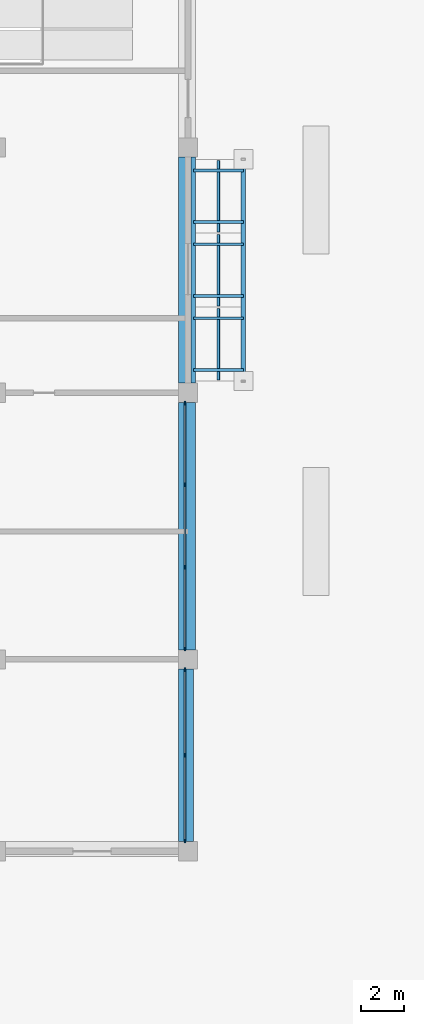
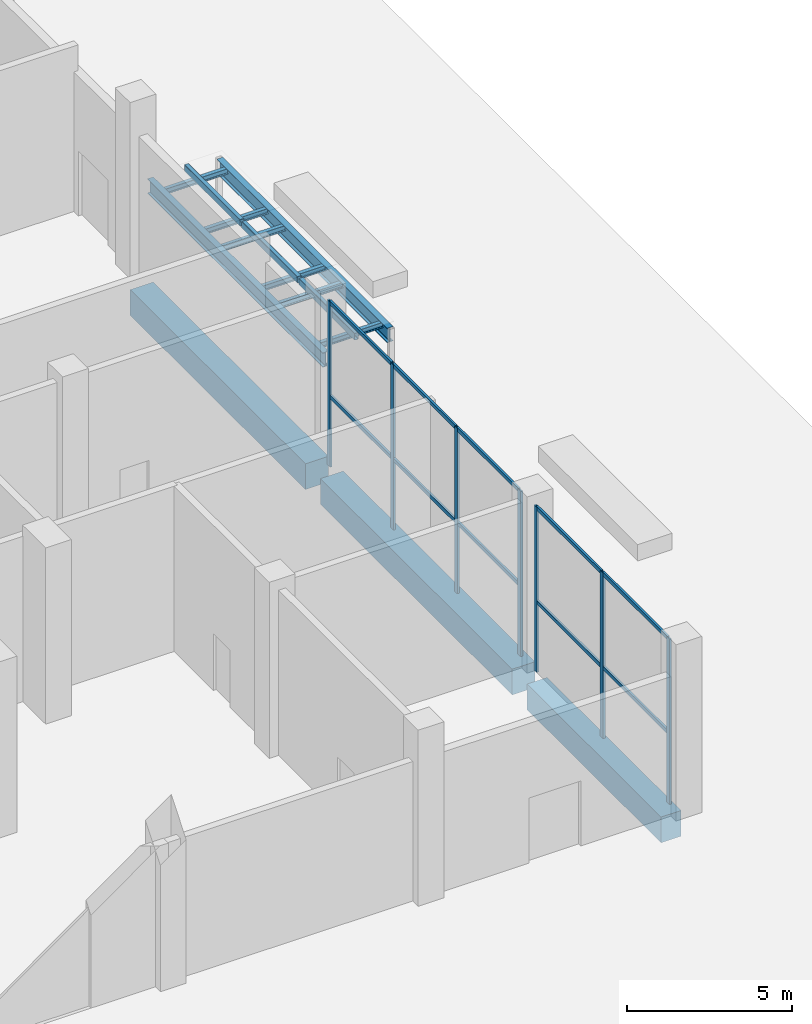
# One storey, part 22 of 39: 20 members, 11 beams, 2 elements without a shape of their own.
"""IFC4 building model written with IfcOpenShell, lengths in metres."""

from ifc_helpers import new_model, si_unit, direction, frame, origin, origin_2d, place, context, subcontext, project, spatial, rectangle, hollow_rectangle, i_section, extrude, material, layer, layer_set, material_profile, profile_set, type_object, element, aggregate, save


model = new_model("IFC4")

# Units and contexts
model_context = context("Model", 3, precision=1e-05, world=origin(), true_north=direction((0.0, 1.0)))
body_context = subcontext(model_context, "Body", "Model", "MODEL_VIEW")
ifc_project = project(units=[si_unit("LENGTHUNIT", "METRE"), si_unit("AREAUNIT", "SQUARE_METRE"), si_unit("VOLUMEUNIT", "CUBIC_METRE"), si_unit("PLANEANGLEUNIT", "RADIAN"), si_unit("MASSUNIT", "GRAM", prefix="KILO")], contexts=[model_context])

# Site, building, storey
site_placement = place(None, origin())
site = spatial("IfcSite", under=ifc_project, at=site_placement, CompositionType="ELEMENT")
building_placement = place(site_placement, origin())
building = spatial("IfcBuilding", under=site, at=building_placement, Name="Brigalow Station Residences", CompositionType="ELEMENT")
storey_placement = place(building_placement, origin())
storey = spatial("IfcBuildingStorey", under=building, at=storey_placement, Name="L00", CompositionType="ELEMENT", Elevation=0.0)

# Beams
ifc_material_1 = material(Name="Steel Grade 300 to AS/NZS 3679.1", Category="steel")
ifc_material_profile_1 = material_profile(ifc_material_1, i_section(OverallWidth=0.133056640625, OverallDepth=0.203125, WebThickness=0.005859375, FlangeThickness=0.0078125, FilletRadius=0.0087890625, at=origin_2d()), Name="200UB25.4")
ifc_profile_set_1 = profile_set([ifc_material_profile_1], Name="Steel Grade 300 to AS/NZS 3679.1")
beam_type_1 = type_object("IfcBeamType", Name="CANOPY ARM 200UB25.4", PredefinedType="BEAM", material=ifc_profile_set_1)
for number, where, z_axis, x_axis, name in (
    (1, (90.259521484375, 13.570068359375, 3.326416015625), (1.0, 0.0, 0.0), (0.0, 1.0, 0.0), "L00/canopy-arm/E-exit-1-1"),
    (2, (90.259521484375, 15.99658203125, 3.326416015625), (1.0, 0.0, 0.0), (0.0, 1.0, 0.0), "L00/canopy-arm/E-exit-1-2"),
    (3, (90.259521484375, 17.03662109375, 3.326416015625), (1.0, 0.0, 0.0), (0.0, 1.0, 0.0), "L00/canopy-arm/E-exit-2-1"),
    (4, (90.259521484375, 19.46337890625, 3.326416015625), (1.0, 0.0, 0.0), (0.0, 1.0, 0.0), "L00/canopy-arm/E-exit-2-2"),
    (5, (90.259521484375, 20.50341796875, 3.326416015625), (1.0, 0.0, 0.0), (0.0, 1.0, 0.0), "L00/canopy-arm/E-exit-3-1"),
    (6, (90.259521484375, 22.929931640625, 3.326416015625), (1.0, 0.0, 0.0), (0.0, 1.0, 0.0), "L00/canopy-arm/E-exit-3-2"),
):
    element("IfcBeam", number, at=place(storey_placement, frame(where, z_axis=z_axis, x_axis=x_axis)), inside=storey, type_object=beam_type_1, Name=name, PredefinedType="BEAM", context=body_context, shape_type="SweptSolid", body=[
        extrude(i_section(OverallWidth=0.133056640625, OverallDepth=0.203125, WebThickness=0.005859375, FlangeThickness=0.0078125, FilletRadius=0.0087890625, at=origin_2d()), origin(), (0.0, 0.0, 1.0), 2.330810546875),
    ])
ifc_material_2 = material(Name="Steel Grade 300 to AS/NZS 3679.1", Category="steel")
ifc_material_profile_2 = material_profile(ifc_material_2, i_section(OverallWidth=0.208984375, OverallDepth=0.532958984375, WebThickness=0.01025390625, FlangeThickness=0.015625, FilletRadius=0.013916015625, at=origin_2d()), Name="530UB92.4")
ifc_profile_set_2 = profile_set([ifc_material_profile_2], Name="Steel Grade 300 to AS/NZS 3679.1")
beam_type_2 = type_object("IfcBeamType", Name="CANOPY EDGE BEAM OVER 10 M SPAN 530UB92.4", PredefinedType="BEAM", material=ifc_profile_set_2)
beam_1_placement = place(storey_placement, frame((90.25439453125, 12.949951171875, 3.21142578125), z_axis=(0.0, 1.0, 0.0), x_axis=(-1.0, 0.0, 0.0)))
element("IfcBeam", 7, at=beam_1_placement, inside=storey, type_object=beam_type_2, Name="L00/canopy-beam/E-exit", PredefinedType="BEAM", context=body_context, shape_type="SweptSolid", body=[
    extrude(i_section(OverallWidth=0.208984375, OverallDepth=0.532958984375, WebThickness=0.01025390625, FlangeThickness=0.015625, FilletRadius=0.013916015625, at=origin_2d()), origin(), (0.0, 0.0, 1.0), 10.60009765625),
])
beam_2_placement = place(storey_placement, frame((92.595458984375, 13.10009765625, 3.21142578125), z_axis=(0.0, 1.0, 0.0), x_axis=(-1.0, 0.0, 0.0)))
element("IfcBeam", 8, at=beam_2_placement, inside=storey, type_object=beam_type_2, Name="L00/canopy-tip/E-exit", PredefinedType="BEAM", context=body_context, shape_type="SweptSolid", body=[
    extrude(i_section(OverallWidth=0.208984375, OverallDepth=0.532958984375, WebThickness=0.01025390625, FlangeThickness=0.015625, FilletRadius=0.013916015625, at=origin_2d()), origin(), (0.0, 0.0, 1.0), 10.2998046875),
])

# Members
ifc_material_3 = material(Name="Steel Grade C450L0 to AS/NZS 1163", Category="steel")
ifc_material_profile_3 = material_profile(ifc_material_3, hollow_rectangle(XDim=0.14990234375, YDim=0.25, WallThickness=0.009033203125, InnerFilletRadius=0.013427734375, OuterFilletRadius=0.0224609375, at=origin_2d()), Name="250x150x9.0RHS")
ifc_profile_set_3 = profile_set([ifc_material_profile_3], Name="Steel Grade C450L0 to AS/NZS 1163")
member_type_1 = type_object("IfcMemberType", Name="CANOPY GLAZING RAIL 250x150x9.0RHS", PredefinedType="MEMBER", material=ifc_profile_set_3)
for number, where, z_axis, x_axis, name in (
    (9, (91.425048828125, 13.110107421875, 3.552978515625), (0.0, 1.0, 0.0), (-1.0, 0.0, 0.0), "L00/canopy-rail/E-exit-1"),
    (10, (91.425048828125, 16.57666015625, 3.552978515625), (0.0, 1.0, 0.0), (-1.0, 0.0, 0.0), "L00/canopy-rail/E-exit-2"),
    (11, (91.425048828125, 20.043212890625, 3.552978515625), (0.0, 1.0, 0.0), (-1.0, 0.0, 0.0), "L00/canopy-rail/E-exit-3"),
):
    element("IfcMember", number, at=place(storey_placement, frame(where, z_axis=z_axis, x_axis=x_axis)), inside=storey, type_object=member_type_1, Name=name, PredefinedType="MEMBER", context=body_context, shape_type="SweptSolid", body=[
        extrude(hollow_rectangle(XDim=0.14990234375, YDim=0.25, WallThickness=0.009033203125, InnerFilletRadius=0.013427734375, OuterFilletRadius=0.0224609375, at=origin_2d()), origin(), (0.0, 0.0, 1.0), 3.3466796875),
    ])

# Beams
ifc_material_4 = material(Name="Concrete C65", Category="concrete")
ifc_material_profile_4 = material_profile(ifc_material_4, rectangle(XDim=0.699951171875, YDim=0.949951171875, at=origin_2d()), Name="RC700x950")
ifc_profile_set_4 = profile_set([ifc_material_profile_4], Name="Concrete C65")
beam_type_3 = type_object("IfcBeamType", Name="EDGE GIRDER 4.5 TO 9.9 M SPAN 700x950 C65", PredefinedType="BEAM", material=ifc_profile_set_4)
beam_3_placement = place(storey_placement, frame((89.89990234375, -8.550048828125, -0.876953125), z_axis=(0.0, 1.0, 0.0), x_axis=(-1.0, 0.0, 0.0)))
element("IfcBeam", 12, at=beam_3_placement, inside=storey, type_object=beam_type_3, Name="PODIUM EDGE GIRDER E13 L00", PredefinedType="BEAM", context=body_context, shape_type="SweptSolid", body=[
    extrude(rectangle(XDim=0.699951171875, YDim=0.949951171875, at=origin_2d()), origin(), (0.0, 0.0, 1.0), 8.10009765625),
])
ifc_material_5 = material(Name="Concrete C65", Category="concrete")
ifc_material_profile_5 = material_profile(ifc_material_5, rectangle(XDim=0.800048828125, YDim=0.949951171875, at=origin_2d()), Name="RC800x950")
ifc_profile_set_5 = profile_set([ifc_material_profile_5], Name="Concrete C65")
beam_type_4 = type_object("IfcBeamType", Name="EDGE GIRDER OVER 9.9 M SPAN 800x950 C65", PredefinedType="BEAM", material=ifc_profile_set_5)
beam_4_placement = place(storey_placement, frame((89.949951171875, 0.449951171875, -0.876953125), z_axis=(0.0, 1.0, 0.0), x_axis=(-1.0, 0.0, 0.0)))
element("IfcBeam", 13, at=beam_4_placement, inside=storey, type_object=beam_type_4, Name="PODIUM EDGE GIRDER E14 L00", PredefinedType="BEAM", context=body_context, shape_type="SweptSolid", body=[
    extrude(rectangle(XDim=0.800048828125, YDim=0.949951171875, at=origin_2d()), origin(), (0.0, 0.0, 1.0), 11.60009765625),
])
beam_5_placement = place(storey_placement, frame((89.949951171875, 12.949951171875, -0.876953125), z_axis=(0.0, 1.0, 0.0), x_axis=(-1.0, 0.0, 0.0)))
element("IfcBeam", 14, at=beam_5_placement, inside=storey, type_object=beam_type_4, Name="PODIUM EDGE GIRDER E15 L00", PredefinedType="BEAM", context=body_context, shape_type="SweptSolid", body=[
    extrude(rectangle(XDim=0.800048828125, YDim=0.949951171875, at=origin_2d()), origin(), (0.0, 0.0, 1.0), 10.60009765625),
])

# Curtain wall, members
ifc_material_6 = material(Name="Aluminium", Category="aluminium")
ifc_layer = layer(ifc_material_6, 0.179931640625)
ifc_layer_set = layer_set([ifc_layer], Name="STATION CONCOURSE SHOPFRONT GLAZING CURTAIN WALL")
curtain_wall_type = type_object("IfcCurtainWallType", Name="STATION CONCOURSE SHOPFRONT GLAZING CURTAIN WALL", PredefinedType="NOTDEFINED", material=ifc_layer_set)
curtain_wall_1_placement = place(storey_placement, origin())
curtain_wall_1 = element("IfcCurtainWall", 15, at=curtain_wall_1_placement, inside=storey, type_object=curtain_wall_type, Name="L00/cw/podium-W-L00-13-1", PredefinedType="NOTDEFINED")
ifc_material_7 = material(Name="Aluminium", Category="aluminium")
ifc_material_profile_6 = material_profile(ifc_material_7, rectangle(XDim=0.074951171875, YDim=0.179931640625, at=origin_2d()), Name="STATION CONCOURSE SHOPFRONT GLAZING MULLION 75x180")
ifc_profile_set_6 = profile_set([ifc_material_profile_6], Name="Aluminium")
member_type_2 = type_object("IfcMemberType", Name="STATION CONCOURSE SHOPFRONT GLAZING MULLION 75x180", PredefinedType="MULLION", material=ifc_profile_set_6)
member_1_placement = place(storey_placement, frame((89.85009765625, -8.512451171875, 0.0), z_axis=(0.0, 0.0, 1.0), x_axis=(-1.0, 0.0, 0.0)))
member_1 = element("IfcMember", 16, at=member_1_placement, type_object=member_type_2, Name="L00/cw/podium-W-L00-13-1/M00", PredefinedType="MULLION", context=body_context, shape_type="SweptSolid", body=[
    extrude(rectangle(XDim=0.074951171875, YDim=0.179931640625, at=origin_2d()), origin(), (0.0, 0.0, 1.0), 6.097900390625),
])
member_2_placement = place(storey_placement, frame((89.85009765625, -4.5, 0.0), z_axis=(0.0, 0.0, 1.0), x_axis=(-1.0, 0.0, 0.0)))
member_2 = element("IfcMember", 17, at=member_2_placement, type_object=member_type_2, Name="L00/cw/podium-W-L00-13-1/M01", PredefinedType="MULLION", context=body_context, shape_type="SweptSolid", body=[
    extrude(rectangle(XDim=0.074951171875, YDim=0.179931640625, at=origin_2d()), origin(), (0.0, 0.0, 1.0), 6.097900390625),
])
member_3_placement = place(storey_placement, frame((89.85009765625, -0.487548828125, 0.0), z_axis=(0.0, 0.0, 1.0), x_axis=(-1.0, 0.0, 0.0)))
member_3 = element("IfcMember", 18, at=member_3_placement, type_object=member_type_2, Name="L00/cw/podium-W-L00-13-1/M02", PredefinedType="MULLION", context=body_context, shape_type="SweptSolid", body=[
    extrude(rectangle(XDim=0.074951171875, YDim=0.179931640625, at=origin_2d()), origin(), (0.0, 0.0, 1.0), 6.097900390625),
])

curtain_wall_2_placement = place(storey_placement, origin())
curtain_wall_2 = element("IfcCurtainWall", 19, at=curtain_wall_2_placement, inside=storey, type_object=curtain_wall_type, Name="L00/cw/podium-W-L00-13-2", PredefinedType="NOTDEFINED")
member_4_placement = place(storey_placement, frame((89.85009765625, 0.487548828125, 0.0), z_axis=(0.0, 0.0, 1.0), x_axis=(-1.0, 0.0, 0.0)))
member_4 = element("IfcMember", 20, at=member_4_placement, type_object=member_type_2, Name="L00/cw/podium-W-L00-13-2/M00", PredefinedType="MULLION", context=body_context, shape_type="SweptSolid", body=[
    extrude(rectangle(XDim=0.074951171875, YDim=0.179931640625, at=origin_2d()), origin(), (0.0, 0.0, 1.0), 6.097900390625),
])
member_5_placement = place(storey_placement, frame((89.85009765625, 4.316650390625, 0.0), z_axis=(0.0, 0.0, 1.0), x_axis=(-1.0, 0.0, 0.0)))
member_5 = element("IfcMember", 21, at=member_5_placement, type_object=member_type_2, Name="L00/cw/podium-W-L00-13-2/M01", PredefinedType="MULLION", context=body_context, shape_type="SweptSolid", body=[
    extrude(rectangle(XDim=0.074951171875, YDim=0.179931640625, at=origin_2d()), origin(), (0.0, 0.0, 1.0), 6.097900390625),
])
member_6_placement = place(storey_placement, frame((89.85009765625, 8.183349609375, 0.0), z_axis=(0.0, 0.0, 1.0), x_axis=(-1.0, 0.0, 0.0)))
member_6 = element("IfcMember", 22, at=member_6_placement, type_object=member_type_2, Name="L00/cw/podium-W-L00-13-2/M02", PredefinedType="MULLION", context=body_context, shape_type="SweptSolid", body=[
    extrude(rectangle(XDim=0.074951171875, YDim=0.179931640625, at=origin_2d()), origin(), (0.0, 0.0, 1.0), 6.097900390625),
])
member_7_placement = place(storey_placement, frame((89.85009765625, 12.012451171875, 0.0), z_axis=(0.0, 0.0, 1.0), x_axis=(-1.0, 0.0, 0.0)))
member_7 = element("IfcMember", 23, at=member_7_placement, type_object=member_type_2, Name="L00/cw/podium-W-L00-13-2/M03", PredefinedType="MULLION", context=body_context, shape_type="SweptSolid", body=[
    extrude(rectangle(XDim=0.074951171875, YDim=0.179931640625, at=origin_2d()), origin(), (0.0, 0.0, 1.0), 6.097900390625),
])

# Member
ifc_material_8 = material(Name="Aluminium", Category="aluminium")
ifc_material_profile_7 = material_profile(ifc_material_8, rectangle(XDim=0.074951171875, YDim=0.139892578125, at=origin_2d()), Name="STATION CONCOURSE SHOPFRONT GLAZING TRANSOM 75x140")
ifc_profile_set_7 = profile_set([ifc_material_profile_7], Name="Aluminium")
member_type_3 = type_object("IfcMemberType", Name="STATION CONCOURSE SHOPFRONT GLAZING TRANSOM 75x140", PredefinedType="USERDEFINED", material=ifc_profile_set_7)
member_8_placement = place(storey_placement, frame((89.85009765625, -8.47509765625, 2.60009765625), z_axis=(0.0, 1.0, 0.0), x_axis=(-1.0, 0.0, 0.0)))
member_8 = element("IfcMember", 24, at=member_8_placement, type_object=member_type_3, Name="L00/cw/podium-W-L00-13-1/T00-00", ObjectType="TRANSOM", PredefinedType="USERDEFINED", context=body_context, shape_type="SweptSolid", body=[
    extrude(rectangle(XDim=0.074951171875, YDim=0.139892578125, at=origin_2d()), origin(), (0.0, 0.0, 1.0), 3.9375),
])

member_9_placement = place(storey_placement, frame((89.85009765625, -8.47509765625, 6.060546875), z_axis=(0.0, 1.0, 0.0), x_axis=(-1.0, 0.0, 0.0)))
member_9 = element("IfcMember", 25, at=member_9_placement, type_object=member_type_3, Name="L00/cw/podium-W-L00-13-1/T00-01", ObjectType="TRANSOM", PredefinedType="USERDEFINED", context=body_context, shape_type="SweptSolid", body=[
    extrude(rectangle(XDim=0.074951171875, YDim=0.139892578125, at=origin_2d()), origin(), (0.0, 0.0, 1.0), 3.9375),
])

member_10_placement = place(storey_placement, frame((89.85009765625, -4.46240234375, 2.60009765625), z_axis=(0.0, 1.0, 0.0), x_axis=(-1.0, 0.0, 0.0)))
member_10 = element("IfcMember", 26, at=member_10_placement, type_object=member_type_3, Name="L00/cw/podium-W-L00-13-1/T01-00", ObjectType="TRANSOM", PredefinedType="USERDEFINED", context=body_context, shape_type="SweptSolid", body=[
    extrude(rectangle(XDim=0.074951171875, YDim=0.139892578125, at=origin_2d()), origin(), (0.0, 0.0, 1.0), 3.9375),
])

member_11_placement = place(storey_placement, frame((89.85009765625, -4.46240234375, 6.060546875), z_axis=(0.0, 1.0, 0.0), x_axis=(-1.0, 0.0, 0.0)))
member_11 = element("IfcMember", 27, at=member_11_placement, type_object=member_type_3, Name="L00/cw/podium-W-L00-13-1/T01-01", ObjectType="TRANSOM", PredefinedType="USERDEFINED", context=body_context, shape_type="SweptSolid", body=[
    extrude(rectangle(XDim=0.074951171875, YDim=0.139892578125, at=origin_2d()), origin(), (0.0, 0.0, 1.0), 3.9375),
])

aggregate(curtain_wall_1, [member_1, member_2, member_3, member_8, member_9, member_10, member_11])

member_12_placement = place(storey_placement, frame((89.85009765625, 0.52490234375, 2.60009765625), z_axis=(0.0, 1.0, 0.0), x_axis=(-1.0, 0.0, 0.0)))
member_12 = element("IfcMember", 28, at=member_12_placement, type_object=member_type_3, Name="L00/cw/podium-W-L00-13-2/T00-00", ObjectType="TRANSOM", PredefinedType="USERDEFINED", context=body_context, shape_type="SweptSolid", body=[
    extrude(rectangle(XDim=0.074951171875, YDim=0.139892578125, at=origin_2d()), origin(), (0.0, 0.0, 1.0), 3.75439453125),
])

member_13_placement = place(storey_placement, frame((89.85009765625, 0.52490234375, 6.060546875), z_axis=(0.0, 1.0, 0.0), x_axis=(-1.0, 0.0, 0.0)))
member_13 = element("IfcMember", 29, at=member_13_placement, type_object=member_type_3, Name="L00/cw/podium-W-L00-13-2/T00-01", ObjectType="TRANSOM", PredefinedType="USERDEFINED", context=body_context, shape_type="SweptSolid", body=[
    extrude(rectangle(XDim=0.074951171875, YDim=0.139892578125, at=origin_2d()), origin(), (0.0, 0.0, 1.0), 3.75439453125),
])

member_14_placement = place(storey_placement, frame((89.85009765625, 4.354248046875, 2.60009765625), z_axis=(0.0, 1.0, 0.0), x_axis=(-1.0, 0.0, 0.0)))
member_14 = element("IfcMember", 30, at=member_14_placement, type_object=member_type_3, Name="L00/cw/podium-W-L00-13-2/T01-00", ObjectType="TRANSOM", PredefinedType="USERDEFINED", context=body_context, shape_type="SweptSolid", body=[
    extrude(rectangle(XDim=0.074951171875, YDim=0.139892578125, at=origin_2d()), origin(), (0.0, 0.0, 1.0), 3.79150390625),
])

member_15_placement = place(storey_placement, frame((89.85009765625, 4.354248046875, 6.060546875), z_axis=(0.0, 1.0, 0.0), x_axis=(-1.0, 0.0, 0.0)))
member_15 = element("IfcMember", 31, at=member_15_placement, type_object=member_type_3, Name="L00/cw/podium-W-L00-13-2/T01-01", ObjectType="TRANSOM", PredefinedType="USERDEFINED", context=body_context, shape_type="SweptSolid", body=[
    extrude(rectangle(XDim=0.074951171875, YDim=0.139892578125, at=origin_2d()), origin(), (0.0, 0.0, 1.0), 3.79150390625),
])

member_16_placement = place(storey_placement, frame((89.85009765625, 8.220703125, 2.60009765625), z_axis=(0.0, 1.0, 0.0), x_axis=(-1.0, 0.0, 0.0)))
member_16 = element("IfcMember", 32, at=member_16_placement, type_object=member_type_3, Name="L00/cw/podium-W-L00-13-2/T02-00", ObjectType="TRANSOM", PredefinedType="USERDEFINED", context=body_context, shape_type="SweptSolid", body=[
    extrude(rectangle(XDim=0.074951171875, YDim=0.139892578125, at=origin_2d()), origin(), (0.0, 0.0, 1.0), 3.75439453125),
])

member_17_placement = place(storey_placement, frame((89.85009765625, 8.220703125, 6.060546875), z_axis=(0.0, 1.0, 0.0), x_axis=(-1.0, 0.0, 0.0)))
member_17 = element("IfcMember", 33, at=member_17_placement, type_object=member_type_3, Name="L00/cw/podium-W-L00-13-2/T02-01", ObjectType="TRANSOM", PredefinedType="USERDEFINED", context=body_context, shape_type="SweptSolid", body=[
    extrude(rectangle(XDim=0.074951171875, YDim=0.139892578125, at=origin_2d()), origin(), (0.0, 0.0, 1.0), 3.75439453125),
])

aggregate(curtain_wall_2, [member_4, member_5, member_6, member_7, member_12, member_13, member_14, member_15, member_16, member_17])

save(model, "model.ifc")
